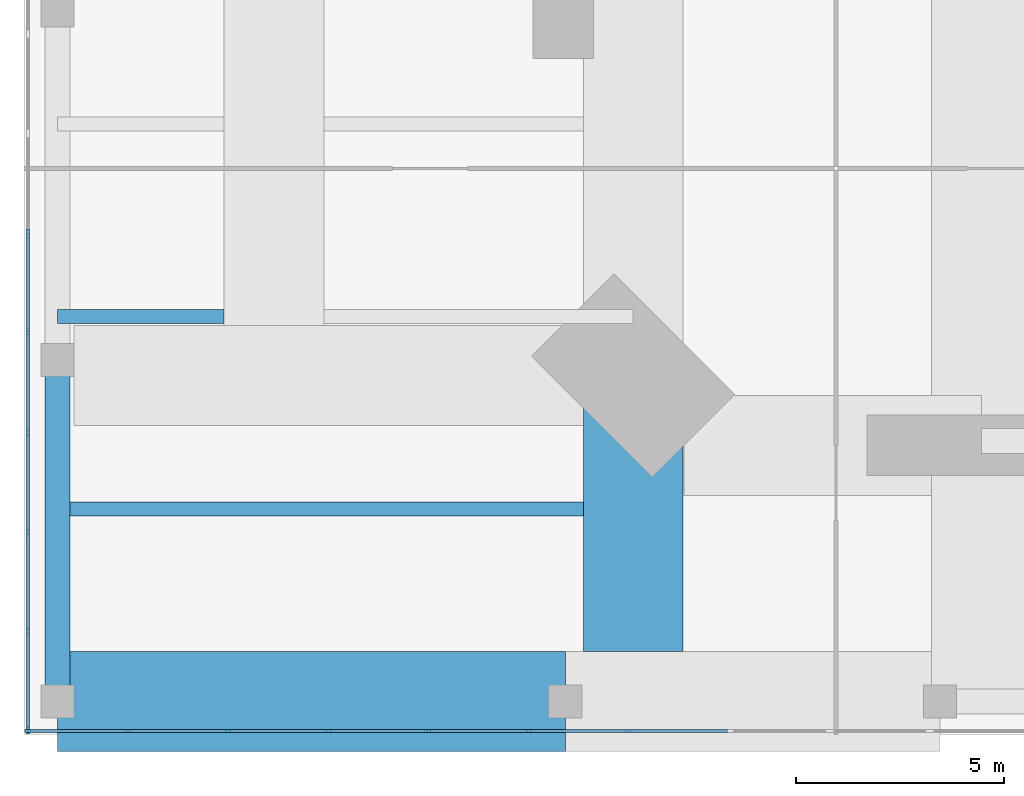
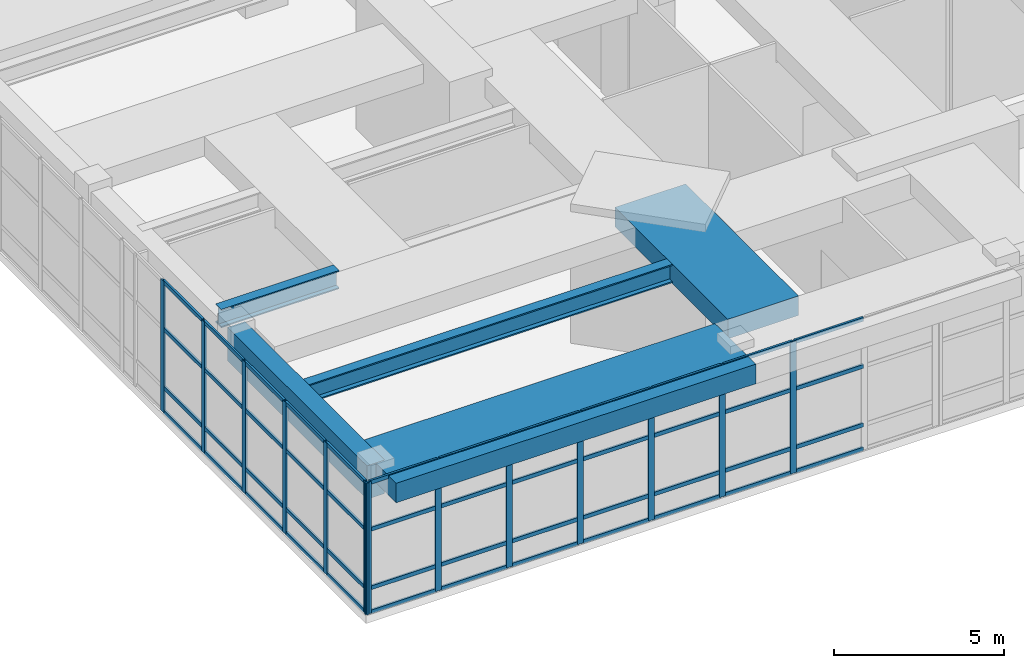
# One storey, part 2 of 24: 61 members, 5 beams, 2 elements without a shape of their own.
"""IFC4 building model written with IfcOpenShell, lengths in metres."""

from ifc_helpers import new_model, si_unit, direction, frame, origin, origin_2d, place, context, subcontext, project, spatial, rectangle, i_section, extrude, material, material_profile, profile_set, type_object, element, aggregate, save


model = new_model("IFC4")

# Units and contexts
model_context = context("Model", 3, precision=1e-05, world=origin(), true_north=direction((0.0, 1.0)))
body_context = subcontext(model_context, "Body", "Model", "MODEL_VIEW")
ifc_project = project(units=[si_unit("LENGTHUNIT", "METRE"), si_unit("AREAUNIT", "SQUARE_METRE"), si_unit("VOLUMEUNIT", "CUBIC_METRE"), si_unit("PLANEANGLEUNIT", "RADIAN"), si_unit("MASSUNIT", "GRAM", prefix="KILO")], contexts=[model_context])

# Site, building, storey
site_placement = place(None, origin())
site = spatial("IfcSite", under=ifc_project, at=site_placement, CompositionType="ELEMENT")
building_placement = place(site_placement, origin())
building = spatial("IfcBuilding", under=site, at=building_placement, Name="Jalousie Tower", CompositionType="ELEMENT")
storey_placement = place(building_placement, frame((0.0, 0.0, 11.0)))
storey = spatial("IfcBuildingStorey", under=building, at=storey_placement, Name="L02", CompositionType="ELEMENT", Elevation=11.0)

# Beams
ifc_material_1 = material(Name="Steel ASTM A992 Grade 50", Category="steel")
ifc_material_profile_1 = material_profile(ifc_material_1, i_section(OverallWidth=0.332763671875, OverallDepth=0.660400390625, WebThickness=0.0244140625, FlangeThickness=0.0439453125, at=origin_2d()), Name="W24X229")
ifc_profile_set_1 = profile_set([ifc_material_profile_1], Name="Steel ASTM A992 Grade 50")
beam_type_1 = type_object("IfcBeamType", Name="PLANT FLOOR BEAM W24X229", PredefinedType="BEAM", material=ifc_profile_set_1)
beam_1_placement = place(storey_placement, frame((-8.89990234375, -0.577880859375, 4.389892578125), z_axis=(1.0, 0.0, 0.0), x_axis=(0.0, 1.0, 0.0)))
element("IfcBeam", 1, at=beam_1_placement, inside=storey, type_object=beam_type_1, Name="Plant floor beam under Mechanical plant room L03", PredefinedType="BEAM", context=body_context, shape_type="SweptSolid", body=[
    extrude(i_section(OverallWidth=0.332763671875, OverallDepth=0.660400390625, WebThickness=0.0244140625, FlangeThickness=0.0439453125, at=origin_2d()), origin(), (0.0, 0.0, 1.0), 12.331298828125),
])
beam_2_placement = place(storey_placement, frame((-9.199951171875, 4.04443359375, 4.389892578125), z_axis=(1.0, 0.0, 0.0), x_axis=(0.0, 1.0, 0.0)))
element("IfcBeam", 2, at=beam_2_placement, inside=storey, type_object=beam_type_1, Name="Plant floor beam under Mechanical plant room L03", PredefinedType="BEAM", context=body_context, shape_type="SweptSolid", body=[
    extrude(i_section(OverallWidth=0.332763671875, OverallDepth=0.660400390625, WebThickness=0.0244140625, FlangeThickness=0.0439453125, at=origin_2d()), origin(), (0.0, 0.0, 1.0), 4.0),
])

# Curtain wall, members
ifc_material_2 = material(Name="Aluminium curtain wall", Category="aluminium")
curtain_wall_type = type_object("IfcCurtainWallType", Name="PODIUM WINDOW WALL", PredefinedType="USERDEFINED", material=ifc_material_2)
curtain_wall_1_placement = place(storey_placement, origin())
curtain_wall_1 = element("IfcCurtainWall", 3, at=curtain_wall_1_placement, inside=storey, type_object=curtain_wall_type, Name="Podium Window Wall L02 1", ObjectType="PODIUM WINDOW WALL", PredefinedType="USERDEFINED")
ifc_material_3 = material(Name="Aluminium mullion", Category="aluminium")
ifc_material_profile_2 = material_profile(ifc_material_3, rectangle(XDim=0.070068359375, YDim=0.199951171875, at=origin_2d()), Name="MULLION 70x200")
ifc_profile_set_2 = profile_set([ifc_material_profile_2], Name="Aluminium mullion")
member_type_1 = type_object("IfcMemberType", Name="PODIUM WINDOW WALL MULLION", PredefinedType="MULLION", material=ifc_profile_set_2)
member_1_placement = place(storey_placement, frame((-9.87744140625, -5.91259765625, 0.0), z_axis=(0.0, 0.0, 1.0), x_axis=(0.0, 1.0, 0.0)))
member_1 = element("IfcMember", 4, at=member_1_placement, type_object=member_type_1, Name="CW-P mullion 1", PredefinedType="MULLION", context=body_context, shape_type="SweptSolid", body=[
    extrude(rectangle(XDim=0.070068359375, YDim=0.199951171875, at=origin_2d()), origin(), (0.0, 0.0, 1.0), 4.719970703125),
])
member_2_placement = place(storey_placement, frame((-7.504638671875, -5.91259765625, 0.0), z_axis=(0.0, 0.0, 1.0), x_axis=(0.0, 1.0, 0.0)))
member_2 = element("IfcMember", 5, at=member_2_placement, type_object=member_type_1, Name="CW-P mullion 2", PredefinedType="MULLION", context=body_context, shape_type="SweptSolid", body=[
    extrude(rectangle(XDim=0.070068359375, YDim=0.199951171875, at=origin_2d()), origin(), (0.0, 0.0, 1.0), 4.719970703125),
])
member_3_placement = place(storey_placement, frame((-5.096923828125, -5.91259765625, 0.0), z_axis=(0.0, 0.0, 1.0), x_axis=(0.0, 1.0, 0.0)))
member_3 = element("IfcMember", 6, at=member_3_placement, type_object=member_type_1, Name="CW-P mullion 3", PredefinedType="MULLION", context=body_context, shape_type="SweptSolid", body=[
    extrude(rectangle(XDim=0.070068359375, YDim=0.199951171875, at=origin_2d()), origin(), (0.0, 0.0, 1.0), 4.719970703125),
])
member_4_placement = place(storey_placement, frame((-2.689208984375, -5.91259765625, 0.0), z_axis=(0.0, 0.0, 1.0), x_axis=(0.0, 1.0, 0.0)))
member_4 = element("IfcMember", 7, at=member_4_placement, type_object=member_type_1, Name="CW-P mullion 4", PredefinedType="MULLION", context=body_context, shape_type="SweptSolid", body=[
    extrude(rectangle(XDim=0.070068359375, YDim=0.199951171875, at=origin_2d()), origin(), (0.0, 0.0, 1.0), 4.719970703125),
])
member_5_placement = place(storey_placement, frame((-0.281494140625, -5.91259765625, 0.0), z_axis=(0.0, 0.0, 1.0), x_axis=(0.0, 1.0, 0.0)))
member_5 = element("IfcMember", 8, at=member_5_placement, type_object=member_type_1, Name="CW-P mullion 5", PredefinedType="MULLION", context=body_context, shape_type="SweptSolid", body=[
    extrude(rectangle(XDim=0.070068359375, YDim=0.199951171875, at=origin_2d()), origin(), (0.0, 0.0, 1.0), 4.719970703125),
])
member_6_placement = place(storey_placement, frame((2.126220703125, -5.91259765625, 0.0), z_axis=(0.0, 0.0, 1.0), x_axis=(0.0, 1.0, 0.0)))
member_6 = element("IfcMember", 9, at=member_6_placement, type_object=member_type_1, Name="CW-P mullion 6", PredefinedType="MULLION", context=body_context, shape_type="SweptSolid", body=[
    extrude(rectangle(XDim=0.070068359375, YDim=0.199951171875, at=origin_2d()), origin(), (0.0, 0.0, 1.0), 4.719970703125),
])
member_7_placement = place(storey_placement, frame((4.533935546875, -5.91259765625, 0.0), z_axis=(0.0, 0.0, 1.0), x_axis=(0.0, 1.0, 0.0)))
member_7 = element("IfcMember", 10, at=member_7_placement, type_object=member_type_1, Name="CW-P mullion 7", PredefinedType="MULLION", context=body_context, shape_type="SweptSolid", body=[
    extrude(rectangle(XDim=0.070068359375, YDim=0.199951171875, at=origin_2d()), origin(), (0.0, 0.0, 1.0), 4.719970703125),
])

curtain_wall_2_placement = place(storey_placement, origin())
curtain_wall_2 = element("IfcCurtainWall", 11, at=curtain_wall_2_placement, inside=storey, type_object=curtain_wall_type, Name="Podium Window Wall L02 33", ObjectType="PODIUM WINDOW WALL", PredefinedType="USERDEFINED")
member_8_placement = place(storey_placement, frame((-9.91259765625, 6.04931640625, 0.0), z_axis=(0.0, 0.0, 1.0), x_axis=(1.0, 0.0, 0.0)))
member_8 = element("IfcMember", 12, at=member_8_placement, type_object=member_type_1, Name="CW-P mullion 14", PredefinedType="MULLION", context=body_context, shape_type="SweptSolid", body=[
    extrude(rectangle(XDim=0.070068359375, YDim=0.199951171875, at=origin_2d()), origin(), (0.0, 0.0, 1.0), 4.719970703125),
])
member_9_placement = place(storey_placement, frame((-9.91259765625, 3.656982421875, 0.0), z_axis=(0.0, 0.0, 1.0), x_axis=(1.0, 0.0, 0.0)))
member_9 = element("IfcMember", 13, at=member_9_placement, type_object=member_type_1, Name="CW-P mullion 15", PredefinedType="MULLION", context=body_context, shape_type="SweptSolid", body=[
    extrude(rectangle(XDim=0.070068359375, YDim=0.199951171875, at=origin_2d()), origin(), (0.0, 0.0, 1.0), 4.719970703125),
])
member_10_placement = place(storey_placement, frame((-9.91259765625, 1.2646484375, 0.0), z_axis=(0.0, 0.0, 1.0), x_axis=(1.0, 0.0, 0.0)))
member_10 = element("IfcMember", 14, at=member_10_placement, type_object=member_type_1, Name="CW-P mullion 16", PredefinedType="MULLION", context=body_context, shape_type="SweptSolid", body=[
    extrude(rectangle(XDim=0.070068359375, YDim=0.199951171875, at=origin_2d()), origin(), (0.0, 0.0, 1.0), 4.719970703125),
])
member_11_placement = place(storey_placement, frame((-9.91259765625, -1.127685546875, 0.0), z_axis=(0.0, 0.0, 1.0), x_axis=(1.0, 0.0, 0.0)))
member_11 = element("IfcMember", 15, at=member_11_placement, type_object=member_type_1, Name="CW-P mullion 17", PredefinedType="MULLION", context=body_context, shape_type="SweptSolid", body=[
    extrude(rectangle(XDim=0.070068359375, YDim=0.199951171875, at=origin_2d()), origin(), (0.0, 0.0, 1.0), 4.719970703125),
])
member_12_placement = place(storey_placement, frame((-9.91259765625, -3.52001953125, 0.0), z_axis=(0.0, 0.0, 1.0), x_axis=(1.0, 0.0, 0.0)))
member_12 = element("IfcMember", 16, at=member_12_placement, type_object=member_type_1, Name="CW-P mullion 18", PredefinedType="MULLION", context=body_context, shape_type="SweptSolid", body=[
    extrude(rectangle(XDim=0.070068359375, YDim=0.199951171875, at=origin_2d()), origin(), (0.0, 0.0, 1.0), 4.719970703125),
])
member_13_placement = place(storey_placement, frame((-9.91259765625, -5.87744140625, 0.0), z_axis=(0.0, 0.0, 1.0), x_axis=(1.0, 0.0, 0.0)))
member_13 = element("IfcMember", 17, at=member_13_placement, type_object=member_type_1, Name="CW-P mullion 19", PredefinedType="MULLION", context=body_context, shape_type="SweptSolid", body=[
    extrude(rectangle(XDim=0.070068359375, YDim=0.199951171875, at=origin_2d()), origin(), (0.0, 0.0, 1.0), 4.719970703125),
])

# Member
ifc_material_4 = material(Name="Aluminium transom", Category="aluminium")
ifc_material_profile_3 = material_profile(ifc_material_4, rectangle(XDim=0.070068359375, YDim=0.139892578125, at=origin_2d()), Name="TRANSOM 70x140")
ifc_profile_set_3 = profile_set([ifc_material_profile_3], Name="Aluminium transom")
member_type_2 = type_object("IfcMemberType", Name="PODIUM WINDOW WALL TRANSOM", PredefinedType="USERDEFINED", material=ifc_profile_set_3)
member_14_placement = place(storey_placement, frame((-9.842529296875, -5.91259765625, 0.034912109375), z_axis=(1.0, 0.0, 0.0), x_axis=(0.0, 1.0, 0.0)))
member_14 = element("IfcMember", 18, at=member_14_placement, type_object=member_type_2, Name="CW-P transom 1.1", ObjectType="TRANSOM", PredefinedType="USERDEFINED", context=body_context, shape_type="SweptSolid", body=[
    extrude(rectangle(XDim=0.070068359375, YDim=0.139892578125, at=origin_2d()), origin(), (0.0, 0.0, 1.0), 2.302734375),
])

member_15_placement = place(storey_placement, frame((-9.842529296875, -5.91259765625, 0.89990234375), z_axis=(1.0, 0.0, 0.0), x_axis=(0.0, 1.0, 0.0)))
member_15 = element("IfcMember", 19, at=member_15_placement, type_object=member_type_2, Name="CW-P transom 1.2", ObjectType="TRANSOM", PredefinedType="USERDEFINED", context=body_context, shape_type="SweptSolid", body=[
    extrude(rectangle(XDim=0.070068359375, YDim=0.139892578125, at=origin_2d()), origin(), (0.0, 0.0, 1.0), 2.302734375),
])

member_16_placement = place(storey_placement, frame((-9.842529296875, -5.91259765625, 3.0), z_axis=(1.0, 0.0, 0.0), x_axis=(0.0, 1.0, 0.0)))
member_16 = element("IfcMember", 20, at=member_16_placement, type_object=member_type_2, Name="CW-P transom 1.3", ObjectType="TRANSOM", PredefinedType="USERDEFINED", context=body_context, shape_type="SweptSolid", body=[
    extrude(rectangle(XDim=0.070068359375, YDim=0.139892578125, at=origin_2d()), origin(), (0.0, 0.0, 1.0), 2.302734375),
])

member_17_placement = place(storey_placement, frame((-9.842529296875, -5.91259765625, 4.68505859375), z_axis=(1.0, 0.0, 0.0), x_axis=(0.0, 1.0, 0.0)))
member_17 = element("IfcMember", 21, at=member_17_placement, type_object=member_type_2, Name="CW-P transom 1.4", ObjectType="TRANSOM", PredefinedType="USERDEFINED", context=body_context, shape_type="SweptSolid", body=[
    extrude(rectangle(XDim=0.070068359375, YDim=0.139892578125, at=origin_2d()), origin(), (0.0, 0.0, 1.0), 2.302734375),
])

member_18_placement = place(storey_placement, frame((-7.4697265625, -5.91259765625, 0.034912109375), z_axis=(1.0, 0.0, 0.0), x_axis=(0.0, 1.0, 0.0)))
member_18 = element("IfcMember", 22, at=member_18_placement, type_object=member_type_2, Name="CW-P transom 2.1", ObjectType="TRANSOM", PredefinedType="USERDEFINED", context=body_context, shape_type="SweptSolid", body=[
    extrude(rectangle(XDim=0.070068359375, YDim=0.139892578125, at=origin_2d()), origin(), (0.0, 0.0, 1.0), 2.337646484375),
])

member_19_placement = place(storey_placement, frame((-7.4697265625, -5.91259765625, 0.89990234375), z_axis=(1.0, 0.0, 0.0), x_axis=(0.0, 1.0, 0.0)))
member_19 = element("IfcMember", 23, at=member_19_placement, type_object=member_type_2, Name="CW-P transom 2.2", ObjectType="TRANSOM", PredefinedType="USERDEFINED", context=body_context, shape_type="SweptSolid", body=[
    extrude(rectangle(XDim=0.070068359375, YDim=0.139892578125, at=origin_2d()), origin(), (0.0, 0.0, 1.0), 2.337646484375),
])

member_20_placement = place(storey_placement, frame((-7.4697265625, -5.91259765625, 3.0), z_axis=(1.0, 0.0, 0.0), x_axis=(0.0, 1.0, 0.0)))
member_20 = element("IfcMember", 24, at=member_20_placement, type_object=member_type_2, Name="CW-P transom 2.3", ObjectType="TRANSOM", PredefinedType="USERDEFINED", context=body_context, shape_type="SweptSolid", body=[
    extrude(rectangle(XDim=0.070068359375, YDim=0.139892578125, at=origin_2d()), origin(), (0.0, 0.0, 1.0), 2.337646484375),
])

member_21_placement = place(storey_placement, frame((-7.4697265625, -5.91259765625, 4.68505859375), z_axis=(1.0, 0.0, 0.0), x_axis=(0.0, 1.0, 0.0)))
member_21 = element("IfcMember", 25, at=member_21_placement, type_object=member_type_2, Name="CW-P transom 2.4", ObjectType="TRANSOM", PredefinedType="USERDEFINED", context=body_context, shape_type="SweptSolid", body=[
    extrude(rectangle(XDim=0.070068359375, YDim=0.139892578125, at=origin_2d()), origin(), (0.0, 0.0, 1.0), 2.337646484375),
])

member_22_placement = place(storey_placement, frame((-5.06201171875, -5.91259765625, 0.034912109375), z_axis=(1.0, 0.0, 0.0), x_axis=(0.0, 1.0, 0.0)))
member_22 = element("IfcMember", 26, at=member_22_placement, type_object=member_type_2, Name="CW-P transom 3.1", ObjectType="TRANSOM", PredefinedType="USERDEFINED", context=body_context, shape_type="SweptSolid", body=[
    extrude(rectangle(XDim=0.070068359375, YDim=0.139892578125, at=origin_2d()), origin(), (0.0, 0.0, 1.0), 2.337890625),
])

member_23_placement = place(storey_placement, frame((-5.06201171875, -5.91259765625, 0.89990234375), z_axis=(1.0, 0.0, 0.0), x_axis=(0.0, 1.0, 0.0)))
member_23 = element("IfcMember", 27, at=member_23_placement, type_object=member_type_2, Name="CW-P transom 3.2", ObjectType="TRANSOM", PredefinedType="USERDEFINED", context=body_context, shape_type="SweptSolid", body=[
    extrude(rectangle(XDim=0.070068359375, YDim=0.139892578125, at=origin_2d()), origin(), (0.0, 0.0, 1.0), 2.337890625),
])

member_24_placement = place(storey_placement, frame((-5.06201171875, -5.91259765625, 3.0), z_axis=(1.0, 0.0, 0.0), x_axis=(0.0, 1.0, 0.0)))
member_24 = element("IfcMember", 28, at=member_24_placement, type_object=member_type_2, Name="CW-P transom 3.3", ObjectType="TRANSOM", PredefinedType="USERDEFINED", context=body_context, shape_type="SweptSolid", body=[
    extrude(rectangle(XDim=0.070068359375, YDim=0.139892578125, at=origin_2d()), origin(), (0.0, 0.0, 1.0), 2.337890625),
])

member_25_placement = place(storey_placement, frame((-5.06201171875, -5.91259765625, 4.68505859375), z_axis=(1.0, 0.0, 0.0), x_axis=(0.0, 1.0, 0.0)))
member_25 = element("IfcMember", 29, at=member_25_placement, type_object=member_type_2, Name="CW-P transom 3.4", ObjectType="TRANSOM", PredefinedType="USERDEFINED", context=body_context, shape_type="SweptSolid", body=[
    extrude(rectangle(XDim=0.070068359375, YDim=0.139892578125, at=origin_2d()), origin(), (0.0, 0.0, 1.0), 2.337890625),
])

member_26_placement = place(storey_placement, frame((-2.654296875, -5.91259765625, 0.034912109375), z_axis=(1.0, 0.0, 0.0), x_axis=(0.0, 1.0, 0.0)))
member_26 = element("IfcMember", 30, at=member_26_placement, type_object=member_type_2, Name="CW-P transom 4.1", ObjectType="TRANSOM", PredefinedType="USERDEFINED", context=body_context, shape_type="SweptSolid", body=[
    extrude(rectangle(XDim=0.070068359375, YDim=0.139892578125, at=origin_2d()), origin(), (0.0, 0.0, 1.0), 2.337890625),
])

member_27_placement = place(storey_placement, frame((-2.654296875, -5.91259765625, 0.89990234375), z_axis=(1.0, 0.0, 0.0), x_axis=(0.0, 1.0, 0.0)))
member_27 = element("IfcMember", 31, at=member_27_placement, type_object=member_type_2, Name="CW-P transom 4.2", ObjectType="TRANSOM", PredefinedType="USERDEFINED", context=body_context, shape_type="SweptSolid", body=[
    extrude(rectangle(XDim=0.070068359375, YDim=0.139892578125, at=origin_2d()), origin(), (0.0, 0.0, 1.0), 2.337890625),
])

member_28_placement = place(storey_placement, frame((-2.654296875, -5.91259765625, 3.0), z_axis=(1.0, 0.0, 0.0), x_axis=(0.0, 1.0, 0.0)))
member_28 = element("IfcMember", 32, at=member_28_placement, type_object=member_type_2, Name="CW-P transom 4.3", ObjectType="TRANSOM", PredefinedType="USERDEFINED", context=body_context, shape_type="SweptSolid", body=[
    extrude(rectangle(XDim=0.070068359375, YDim=0.139892578125, at=origin_2d()), origin(), (0.0, 0.0, 1.0), 2.337890625),
])

member_29_placement = place(storey_placement, frame((-2.654296875, -5.91259765625, 4.68505859375), z_axis=(1.0, 0.0, 0.0), x_axis=(0.0, 1.0, 0.0)))
member_29 = element("IfcMember", 33, at=member_29_placement, type_object=member_type_2, Name="CW-P transom 4.4", ObjectType="TRANSOM", PredefinedType="USERDEFINED", context=body_context, shape_type="SweptSolid", body=[
    extrude(rectangle(XDim=0.070068359375, YDim=0.139892578125, at=origin_2d()), origin(), (0.0, 0.0, 1.0), 2.337890625),
])

member_30_placement = place(storey_placement, frame((-0.24658203125, -5.91259765625, 0.034912109375), z_axis=(1.0, 0.0, 0.0), x_axis=(0.0, 1.0, 0.0)))
member_30 = element("IfcMember", 34, at=member_30_placement, type_object=member_type_2, Name="CW-P transom 5.1", ObjectType="TRANSOM", PredefinedType="USERDEFINED", context=body_context, shape_type="SweptSolid", body=[
    extrude(rectangle(XDim=0.070068359375, YDim=0.139892578125, at=origin_2d()), origin(), (0.0, 0.0, 1.0), 2.337890625),
])

member_31_placement = place(storey_placement, frame((-0.24658203125, -5.91259765625, 0.89990234375), z_axis=(1.0, 0.0, 0.0), x_axis=(0.0, 1.0, 0.0)))
member_31 = element("IfcMember", 35, at=member_31_placement, type_object=member_type_2, Name="CW-P transom 5.2", ObjectType="TRANSOM", PredefinedType="USERDEFINED", context=body_context, shape_type="SweptSolid", body=[
    extrude(rectangle(XDim=0.070068359375, YDim=0.139892578125, at=origin_2d()), origin(), (0.0, 0.0, 1.0), 2.337890625),
])

member_32_placement = place(storey_placement, frame((-0.24658203125, -5.91259765625, 3.0), z_axis=(1.0, 0.0, 0.0), x_axis=(0.0, 1.0, 0.0)))
member_32 = element("IfcMember", 36, at=member_32_placement, type_object=member_type_2, Name="CW-P transom 5.3", ObjectType="TRANSOM", PredefinedType="USERDEFINED", context=body_context, shape_type="SweptSolid", body=[
    extrude(rectangle(XDim=0.070068359375, YDim=0.139892578125, at=origin_2d()), origin(), (0.0, 0.0, 1.0), 2.337890625),
])

member_33_placement = place(storey_placement, frame((-0.24658203125, -5.91259765625, 4.68505859375), z_axis=(1.0, 0.0, 0.0), x_axis=(0.0, 1.0, 0.0)))
member_33 = element("IfcMember", 37, at=member_33_placement, type_object=member_type_2, Name="CW-P transom 5.4", ObjectType="TRANSOM", PredefinedType="USERDEFINED", context=body_context, shape_type="SweptSolid", body=[
    extrude(rectangle(XDim=0.070068359375, YDim=0.139892578125, at=origin_2d()), origin(), (0.0, 0.0, 1.0), 2.337890625),
])

member_34_placement = place(storey_placement, frame((2.161376953125, -5.91259765625, 0.034912109375), z_axis=(1.0, 0.0, 0.0), x_axis=(0.0, 1.0, 0.0)))
member_34 = element("IfcMember", 38, at=member_34_placement, type_object=member_type_2, Name="CW-P transom 6.1", ObjectType="TRANSOM", PredefinedType="USERDEFINED", context=body_context, shape_type="SweptSolid", body=[
    extrude(rectangle(XDim=0.070068359375, YDim=0.139892578125, at=origin_2d()), origin(), (0.0, 0.0, 1.0), 2.337646484375),
])

member_35_placement = place(storey_placement, frame((2.161376953125, -5.91259765625, 0.89990234375), z_axis=(1.0, 0.0, 0.0), x_axis=(0.0, 1.0, 0.0)))
member_35 = element("IfcMember", 39, at=member_35_placement, type_object=member_type_2, Name="CW-P transom 6.2", ObjectType="TRANSOM", PredefinedType="USERDEFINED", context=body_context, shape_type="SweptSolid", body=[
    extrude(rectangle(XDim=0.070068359375, YDim=0.139892578125, at=origin_2d()), origin(), (0.0, 0.0, 1.0), 2.337646484375),
])

member_36_placement = place(storey_placement, frame((2.161376953125, -5.91259765625, 3.0), z_axis=(1.0, 0.0, 0.0), x_axis=(0.0, 1.0, 0.0)))
member_36 = element("IfcMember", 40, at=member_36_placement, type_object=member_type_2, Name="CW-P transom 6.3", ObjectType="TRANSOM", PredefinedType="USERDEFINED", context=body_context, shape_type="SweptSolid", body=[
    extrude(rectangle(XDim=0.070068359375, YDim=0.139892578125, at=origin_2d()), origin(), (0.0, 0.0, 1.0), 2.337646484375),
])

member_37_placement = place(storey_placement, frame((2.161376953125, -5.91259765625, 4.68505859375), z_axis=(1.0, 0.0, 0.0), x_axis=(0.0, 1.0, 0.0)))
member_37 = element("IfcMember", 41, at=member_37_placement, type_object=member_type_2, Name="CW-P transom 6.4", ObjectType="TRANSOM", PredefinedType="USERDEFINED", context=body_context, shape_type="SweptSolid", body=[
    extrude(rectangle(XDim=0.070068359375, YDim=0.139892578125, at=origin_2d()), origin(), (0.0, 0.0, 1.0), 2.337646484375),
])

member_38_placement = place(storey_placement, frame((4.569091796875, -5.91259765625, 0.034912109375), z_axis=(1.0, 0.0, 0.0), x_axis=(0.0, 1.0, 0.0)))
member_38 = element("IfcMember", 42, at=member_38_placement, type_object=member_type_2, Name="CW-P transom 7.1", ObjectType="TRANSOM", PredefinedType="USERDEFINED", context=body_context, shape_type="SweptSolid", body=[
    extrude(rectangle(XDim=0.070068359375, YDim=0.139892578125, at=origin_2d()), origin(), (0.0, 0.0, 1.0), 2.337646484375),
])

member_39_placement = place(storey_placement, frame((4.569091796875, -5.91259765625, 0.89990234375), z_axis=(1.0, 0.0, 0.0), x_axis=(0.0, 1.0, 0.0)))
member_39 = element("IfcMember", 43, at=member_39_placement, type_object=member_type_2, Name="CW-P transom 7.2", ObjectType="TRANSOM", PredefinedType="USERDEFINED", context=body_context, shape_type="SweptSolid", body=[
    extrude(rectangle(XDim=0.070068359375, YDim=0.139892578125, at=origin_2d()), origin(), (0.0, 0.0, 1.0), 2.337646484375),
])

member_40_placement = place(storey_placement, frame((4.569091796875, -5.91259765625, 3.0), z_axis=(1.0, 0.0, 0.0), x_axis=(0.0, 1.0, 0.0)))
member_40 = element("IfcMember", 44, at=member_40_placement, type_object=member_type_2, Name="CW-P transom 7.3", ObjectType="TRANSOM", PredefinedType="USERDEFINED", context=body_context, shape_type="SweptSolid", body=[
    extrude(rectangle(XDim=0.070068359375, YDim=0.139892578125, at=origin_2d()), origin(), (0.0, 0.0, 1.0), 2.337646484375),
])

member_41_placement = place(storey_placement, frame((4.569091796875, -5.91259765625, 4.68505859375), z_axis=(1.0, 0.0, 0.0), x_axis=(0.0, 1.0, 0.0)))
member_41 = element("IfcMember", 45, at=member_41_placement, type_object=member_type_2, Name="CW-P transom 7.4", ObjectType="TRANSOM", PredefinedType="USERDEFINED", context=body_context, shape_type="SweptSolid", body=[
    extrude(rectangle(XDim=0.070068359375, YDim=0.139892578125, at=origin_2d()), origin(), (0.0, 0.0, 1.0), 2.337646484375),
])

aggregate(curtain_wall_1, [member_1, member_2, member_3, member_4, member_5, member_6, member_7, member_14, member_15, member_16, member_17, member_18, member_19, member_20, member_21, member_22, member_23, member_24, member_25, member_26, member_27, member_28, member_29, member_30, member_31, member_32, member_33, member_34, member_35, member_36, member_37, member_38, member_39, member_40, member_41])

member_42_placement = place(storey_placement, frame((-9.91259765625, 6.014404296875, 0.034912109375), z_axis=(0.0, -1.0, 0.0), x_axis=(1.0, 0.0, 0.0)))
member_42 = element("IfcMember", 46, at=member_42_placement, type_object=member_type_2, Name="CW-P transom 14.1", ObjectType="TRANSOM", PredefinedType="USERDEFINED", context=body_context, shape_type="SweptSolid", body=[
    extrude(rectangle(XDim=0.070068359375, YDim=0.139892578125, at=origin_2d()), origin(), (0.0, 0.0, 1.0), 2.322509765625),
])

member_43_placement = place(storey_placement, frame((-9.91259765625, 6.014404296875, 0.89990234375), z_axis=(0.0, -1.0, 0.0), x_axis=(1.0, 0.0, 0.0)))
member_43 = element("IfcMember", 47, at=member_43_placement, type_object=member_type_2, Name="CW-P transom 14.2", ObjectType="TRANSOM", PredefinedType="USERDEFINED", context=body_context, shape_type="SweptSolid", body=[
    extrude(rectangle(XDim=0.070068359375, YDim=0.139892578125, at=origin_2d()), origin(), (0.0, 0.0, 1.0), 2.322509765625),
])

member_44_placement = place(storey_placement, frame((-9.91259765625, 6.014404296875, 3.0), z_axis=(0.0, -1.0, 0.0), x_axis=(1.0, 0.0, 0.0)))
member_44 = element("IfcMember", 48, at=member_44_placement, type_object=member_type_2, Name="CW-P transom 14.3", ObjectType="TRANSOM", PredefinedType="USERDEFINED", context=body_context, shape_type="SweptSolid", body=[
    extrude(rectangle(XDim=0.070068359375, YDim=0.139892578125, at=origin_2d()), origin(), (0.0, 0.0, 1.0), 2.322509765625),
])

member_45_placement = place(storey_placement, frame((-9.91259765625, 6.014404296875, 4.68505859375), z_axis=(0.0, -1.0, 0.0), x_axis=(1.0, 0.0, 0.0)))
member_45 = element("IfcMember", 49, at=member_45_placement, type_object=member_type_2, Name="CW-P transom 14.4", ObjectType="TRANSOM", PredefinedType="USERDEFINED", context=body_context, shape_type="SweptSolid", body=[
    extrude(rectangle(XDim=0.070068359375, YDim=0.139892578125, at=origin_2d()), origin(), (0.0, 0.0, 1.0), 2.322509765625),
])

member_46_placement = place(storey_placement, frame((-9.91259765625, 3.621826171875, 0.034912109375), z_axis=(0.0, -1.0, 0.0), x_axis=(1.0, 0.0, 0.0)))
member_46 = element("IfcMember", 50, at=member_46_placement, type_object=member_type_2, Name="CW-P transom 15.1", ObjectType="TRANSOM", PredefinedType="USERDEFINED", context=body_context, shape_type="SweptSolid", body=[
    extrude(rectangle(XDim=0.070068359375, YDim=0.139892578125, at=origin_2d()), origin(), (0.0, 0.0, 1.0), 2.322265625),
])

member_47_placement = place(storey_placement, frame((-9.91259765625, 3.621826171875, 0.89990234375), z_axis=(0.0, -1.0, 0.0), x_axis=(1.0, 0.0, 0.0)))
member_47 = element("IfcMember", 51, at=member_47_placement, type_object=member_type_2, Name="CW-P transom 15.2", ObjectType="TRANSOM", PredefinedType="USERDEFINED", context=body_context, shape_type="SweptSolid", body=[
    extrude(rectangle(XDim=0.070068359375, YDim=0.139892578125, at=origin_2d()), origin(), (0.0, 0.0, 1.0), 2.322265625),
])

member_48_placement = place(storey_placement, frame((-9.91259765625, 3.621826171875, 3.0), z_axis=(0.0, -1.0, 0.0), x_axis=(1.0, 0.0, 0.0)))
member_48 = element("IfcMember", 52, at=member_48_placement, type_object=member_type_2, Name="CW-P transom 15.3", ObjectType="TRANSOM", PredefinedType="USERDEFINED", context=body_context, shape_type="SweptSolid", body=[
    extrude(rectangle(XDim=0.070068359375, YDim=0.139892578125, at=origin_2d()), origin(), (0.0, 0.0, 1.0), 2.322265625),
])

member_49_placement = place(storey_placement, frame((-9.91259765625, 3.621826171875, 4.68505859375), z_axis=(0.0, -1.0, 0.0), x_axis=(1.0, 0.0, 0.0)))
member_49 = element("IfcMember", 53, at=member_49_placement, type_object=member_type_2, Name="CW-P transom 15.4", ObjectType="TRANSOM", PredefinedType="USERDEFINED", context=body_context, shape_type="SweptSolid", body=[
    extrude(rectangle(XDim=0.070068359375, YDim=0.139892578125, at=origin_2d()), origin(), (0.0, 0.0, 1.0), 2.322265625),
])

member_50_placement = place(storey_placement, frame((-9.91259765625, 1.2294921875, 0.034912109375), z_axis=(0.0, -1.0, 0.0), x_axis=(1.0, 0.0, 0.0)))
member_50 = element("IfcMember", 54, at=member_50_placement, type_object=member_type_2, Name="CW-P transom 16.1", ObjectType="TRANSOM", PredefinedType="USERDEFINED", context=body_context, shape_type="SweptSolid", body=[
    extrude(rectangle(XDim=0.070068359375, YDim=0.139892578125, at=origin_2d()), origin(), (0.0, 0.0, 1.0), 2.322265625),
])

member_51_placement = place(storey_placement, frame((-9.91259765625, 1.2294921875, 0.89990234375), z_axis=(0.0, -1.0, 0.0), x_axis=(1.0, 0.0, 0.0)))
member_51 = element("IfcMember", 55, at=member_51_placement, type_object=member_type_2, Name="CW-P transom 16.2", ObjectType="TRANSOM", PredefinedType="USERDEFINED", context=body_context, shape_type="SweptSolid", body=[
    extrude(rectangle(XDim=0.070068359375, YDim=0.139892578125, at=origin_2d()), origin(), (0.0, 0.0, 1.0), 2.322265625),
])

member_52_placement = place(storey_placement, frame((-9.91259765625, 1.2294921875, 3.0), z_axis=(0.0, -1.0, 0.0), x_axis=(1.0, 0.0, 0.0)))
member_52 = element("IfcMember", 56, at=member_52_placement, type_object=member_type_2, Name="CW-P transom 16.3", ObjectType="TRANSOM", PredefinedType="USERDEFINED", context=body_context, shape_type="SweptSolid", body=[
    extrude(rectangle(XDim=0.070068359375, YDim=0.139892578125, at=origin_2d()), origin(), (0.0, 0.0, 1.0), 2.322265625),
])

member_53_placement = place(storey_placement, frame((-9.91259765625, 1.2294921875, 4.68505859375), z_axis=(0.0, -1.0, 0.0), x_axis=(1.0, 0.0, 0.0)))
member_53 = element("IfcMember", 57, at=member_53_placement, type_object=member_type_2, Name="CW-P transom 16.4", ObjectType="TRANSOM", PredefinedType="USERDEFINED", context=body_context, shape_type="SweptSolid", body=[
    extrude(rectangle(XDim=0.070068359375, YDim=0.139892578125, at=origin_2d()), origin(), (0.0, 0.0, 1.0), 2.322265625),
])

member_54_placement = place(storey_placement, frame((-9.91259765625, -1.162841796875, 0.034912109375), z_axis=(0.0, -1.0, 0.0), x_axis=(1.0, 0.0, 0.0)))
member_54 = element("IfcMember", 58, at=member_54_placement, type_object=member_type_2, Name="CW-P transom 17.1", ObjectType="TRANSOM", PredefinedType="USERDEFINED", context=body_context, shape_type="SweptSolid", body=[
    extrude(rectangle(XDim=0.070068359375, YDim=0.139892578125, at=origin_2d()), origin(), (0.0, 0.0, 1.0), 2.322265625),
])

member_55_placement = place(storey_placement, frame((-9.91259765625, -1.162841796875, 0.89990234375), z_axis=(0.0, -1.0, 0.0), x_axis=(1.0, 0.0, 0.0)))
member_55 = element("IfcMember", 59, at=member_55_placement, type_object=member_type_2, Name="CW-P transom 17.2", ObjectType="TRANSOM", PredefinedType="USERDEFINED", context=body_context, shape_type="SweptSolid", body=[
    extrude(rectangle(XDim=0.070068359375, YDim=0.139892578125, at=origin_2d()), origin(), (0.0, 0.0, 1.0), 2.322265625),
])

member_56_placement = place(storey_placement, frame((-9.91259765625, -1.162841796875, 3.0), z_axis=(0.0, -1.0, 0.0), x_axis=(1.0, 0.0, 0.0)))
member_56 = element("IfcMember", 60, at=member_56_placement, type_object=member_type_2, Name="CW-P transom 17.3", ObjectType="TRANSOM", PredefinedType="USERDEFINED", context=body_context, shape_type="SweptSolid", body=[
    extrude(rectangle(XDim=0.070068359375, YDim=0.139892578125, at=origin_2d()), origin(), (0.0, 0.0, 1.0), 2.322265625),
])

member_57_placement = place(storey_placement, frame((-9.91259765625, -1.162841796875, 4.68505859375), z_axis=(0.0, -1.0, 0.0), x_axis=(1.0, 0.0, 0.0)))
member_57 = element("IfcMember", 61, at=member_57_placement, type_object=member_type_2, Name="CW-P transom 17.4", ObjectType="TRANSOM", PredefinedType="USERDEFINED", context=body_context, shape_type="SweptSolid", body=[
    extrude(rectangle(XDim=0.070068359375, YDim=0.139892578125, at=origin_2d()), origin(), (0.0, 0.0, 1.0), 2.322265625),
])

member_58_placement = place(storey_placement, frame((-9.91259765625, -3.55517578125, 0.034912109375), z_axis=(0.0, -1.0, 0.0), x_axis=(1.0, 0.0, 0.0)))
member_58 = element("IfcMember", 62, at=member_58_placement, type_object=member_type_2, Name="CW-P transom 18.1", ObjectType="TRANSOM", PredefinedType="USERDEFINED", context=body_context, shape_type="SweptSolid", body=[
    extrude(rectangle(XDim=0.070068359375, YDim=0.139892578125, at=origin_2d()), origin(), (0.0, 0.0, 1.0), 2.287353515625),
])

member_59_placement = place(storey_placement, frame((-9.91259765625, -3.55517578125, 0.89990234375), z_axis=(0.0, -1.0, 0.0), x_axis=(1.0, 0.0, 0.0)))
member_59 = element("IfcMember", 63, at=member_59_placement, type_object=member_type_2, Name="CW-P transom 18.2", ObjectType="TRANSOM", PredefinedType="USERDEFINED", context=body_context, shape_type="SweptSolid", body=[
    extrude(rectangle(XDim=0.070068359375, YDim=0.139892578125, at=origin_2d()), origin(), (0.0, 0.0, 1.0), 2.287353515625),
])

member_60_placement = place(storey_placement, frame((-9.91259765625, -3.55517578125, 3.0), z_axis=(0.0, -1.0, 0.0), x_axis=(1.0, 0.0, 0.0)))
member_60 = element("IfcMember", 64, at=member_60_placement, type_object=member_type_2, Name="CW-P transom 18.3", ObjectType="TRANSOM", PredefinedType="USERDEFINED", context=body_context, shape_type="SweptSolid", body=[
    extrude(rectangle(XDim=0.070068359375, YDim=0.139892578125, at=origin_2d()), origin(), (0.0, 0.0, 1.0), 2.287353515625),
])

member_61_placement = place(storey_placement, frame((-9.91259765625, -3.55517578125, 4.68505859375), z_axis=(0.0, -1.0, 0.0), x_axis=(1.0, 0.0, 0.0)))
member_61 = element("IfcMember", 65, at=member_61_placement, type_object=member_type_2, Name="CW-P transom 18.4", ObjectType="TRANSOM", PredefinedType="USERDEFINED", context=body_context, shape_type="SweptSolid", body=[
    extrude(rectangle(XDim=0.070068359375, YDim=0.139892578125, at=origin_2d()), origin(), (0.0, 0.0, 1.0), 2.287353515625),
])

aggregate(curtain_wall_2, [member_8, member_9, member_10, member_11, member_12, member_13, member_42, member_43, member_44, member_45, member_46, member_47, member_48, member_49, member_50, member_51, member_52, member_53, member_54, member_55, member_56, member_57, member_58, member_59, member_60, member_61])

# Beams
ifc_material_5 = material(Name="Concrete f'c 40 MPa", Category="concrete")
ifc_material_profile_4 = material_profile(ifc_material_5, rectangle(XDim=2.39990234375, YDim=0.699951171875, at=origin_2d()), Name="RC 2400x700")
ifc_profile_set_4 = profile_set([ifc_material_profile_4], Name="Concrete f'c 40 MPa")
beam_type_2 = type_object("IfcBeamType", Name="RC BEAM 2400x700", PredefinedType="BEAM", material=ifc_profile_set_4)
beam_3_placement = place(storey_placement, frame((-9.199951171875, -5.199951171875, 4.3701171875), z_axis=(1.0, 0.0, 0.0), x_axis=(0.0, 1.0, 0.0)))
element("IfcBeam", 66, at=beam_3_placement, inside=storey, type_object=beam_type_2, Name="Floor band beam under L03", PredefinedType="BEAM", context=body_context, shape_type="SweptSolid", body=[
    extrude(rectangle(XDim=2.39990234375, YDim=0.699951171875, at=origin_2d()), origin(), (0.0, 0.0, 1.0), 12.199951171875),
])
beam_4_placement = place(storey_placement, frame((4.63134765625, 2.63134765625, 4.3701171875), z_axis=(0.0, -1.0, 0.0), x_axis=(1.0, 0.0, 0.0)))
element("IfcBeam", 67, at=beam_4_placement, inside=storey, type_object=beam_type_2, Name="Floor band beam under L03", PredefinedType="BEAM", context=body_context, shape_type="SweptSolid", body=[
    extrude(rectangle(XDim=2.39990234375, YDim=0.699951171875, at=origin_2d()), origin(), (0.0, 0.0, 1.0), 6.63134765625),
])
ifc_material_6 = material(Name="Concrete f'c 40 MPa", Category="concrete")
ifc_material_profile_5 = material_profile(ifc_material_6, rectangle(XDim=0.60009765625, YDim=1.199951171875, at=origin_2d()), Name="RC 600x1200")
ifc_profile_set_5 = profile_set([ifc_material_profile_5], Name="Concrete f'c 40 MPa")
beam_type_3 = type_object("IfcBeamType", Name="RC BEAM 600x1200", PredefinedType="BEAM", material=ifc_profile_set_5)
beam_5_placement = place(storey_placement, frame((-9.199951171875, -5.199951171875, 4.1201171875), z_axis=(0.0, 1.0, 0.0), x_axis=(-1.0, 0.0, 0.0)))
element("IfcBeam", 68, at=beam_5_placement, inside=storey, type_object=beam_type_3, Name="Podium plant girder under L03 line x -9.2", PredefinedType="BEAM", context=body_context, shape_type="SweptSolid", body=[
    extrude(rectangle(XDim=0.60009765625, YDim=1.199951171875, at=origin_2d()), origin(), (0.0, 0.0, 1.0), 8.199951171875),
])

save(model, "model.ifc")
